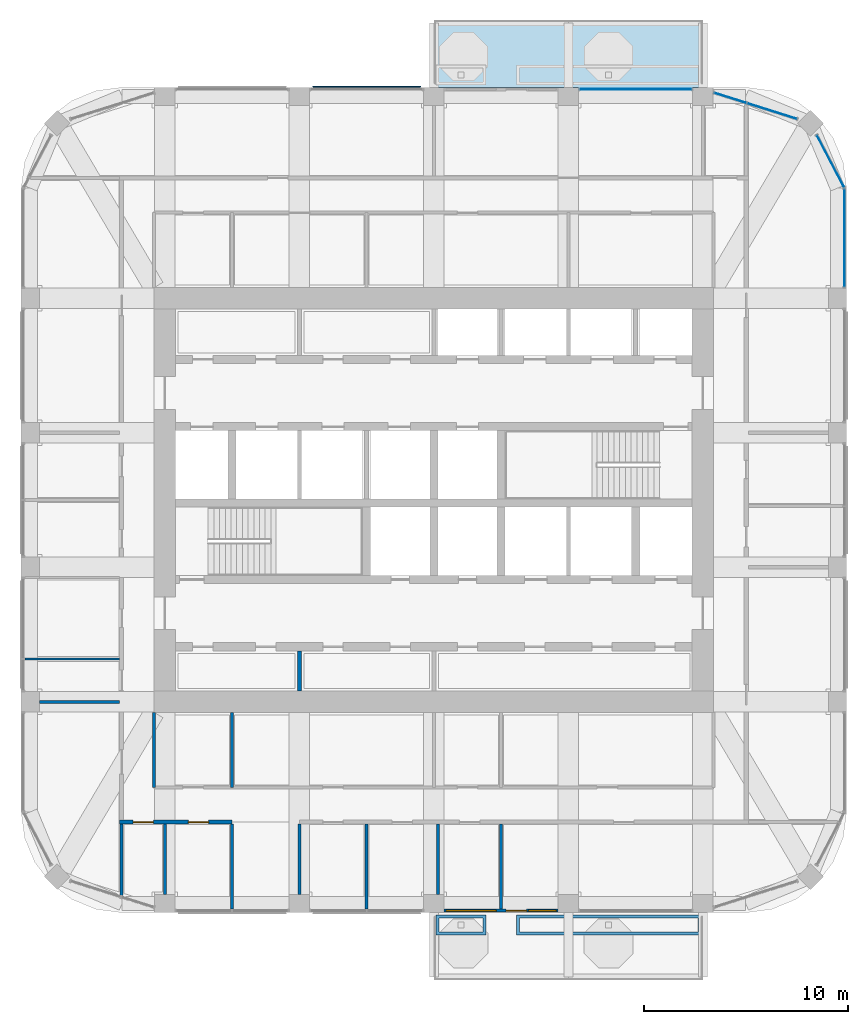
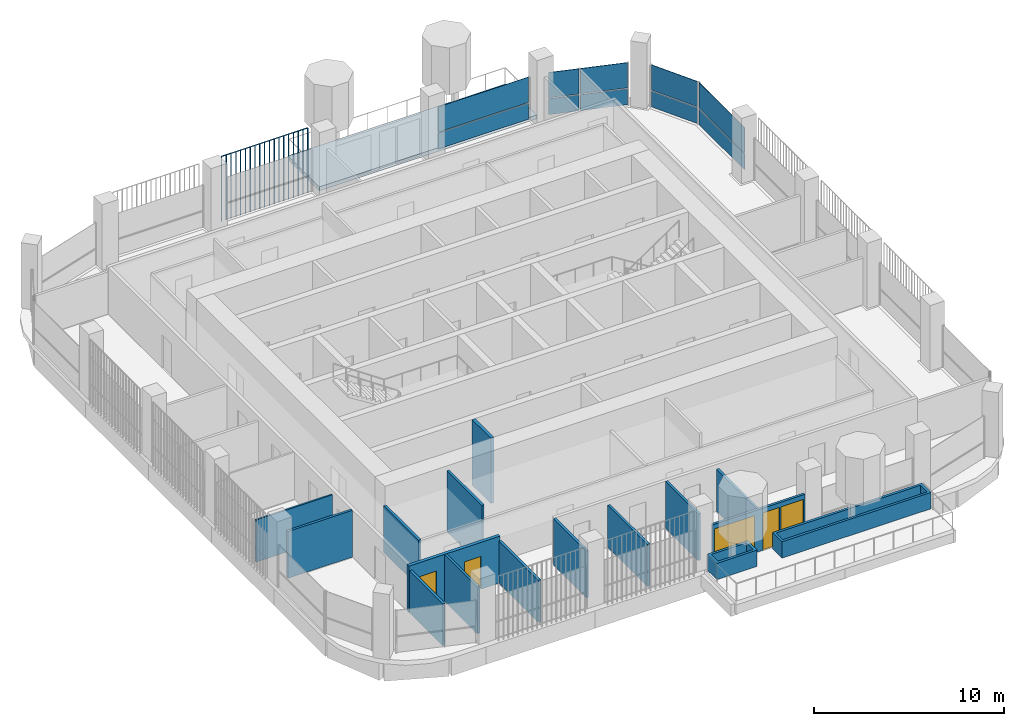
# One storey, part 13 of 21: 16 walls, 11 plates, 3 doors, 2 windows, 1 slab, 5 openings, 4 elements without a shape of their own.
"""IFC4 building model written with IfcOpenShell, lengths in metres."""

from ifc_helpers import new_model, si_unit, direction, frame, frame_2d, origin, origin_2d, place, context, subcontext, project, spatial, polyline, rectangle, outline, extrude, material, layer, layer_set, type_object, element, fill, aggregate, save


model = new_model("IFC4")

# Units and contexts
model_context = context("Model", 3, precision=1e-05, world=origin(), true_north=direction((0.0, 1.0)))
body_context = subcontext(model_context, "Body", "Model", "MODEL_VIEW")
ifc_project = project(units=[si_unit("LENGTHUNIT", "METRE"), si_unit("AREAUNIT", "SQUARE_METRE"), si_unit("VOLUMEUNIT", "CUBIC_METRE"), si_unit("PLANEANGLEUNIT", "RADIAN"), si_unit("MASSUNIT", "GRAM", prefix="KILO")], contexts=[model_context])

# Site, building, storey
site_placement = place(None, origin())
site = spatial("IfcSite", under=ifc_project, at=site_placement, CompositionType="ELEMENT")
building_placement = place(site_placement, origin())
building = spatial("IfcBuilding", under=site, at=building_placement, Name="Cobogo Forest Laboratory Tower", CompositionType="ELEMENT")
storey_placement = place(building_placement, frame((0.0, 0.0, 258.60009765625)))
storey = spatial("IfcBuildingStorey", under=building, at=storey_placement, Name="L59", CompositionType="ELEMENT", Elevation=258.60009765625)

# Slab
ifc_material_1 = material(Name="Concrete HA-40 (C40/50)", Category="concrete")
ifc_layer_1 = layer(ifc_material_1, 0.25)
ifc_layer_set_1 = layer_set([ifc_layer_1], Name="Balcony slab 250")
slab_type = type_object("IfcSlabType", Name="Balcony slab 250", PredefinedType="FLOOR", material=ifc_layer_set_1)
slab_placement = place(storey_placement, frame((0.0, 0.0, -0.25)))
element("IfcSlab", 1, at=slab_placement, inside=storey, type_object=slab_type, Name="Balcony BAL-N1 L59", PredefinedType="FLOOR", context=body_context, shape_type="SweptSolid", body=[
    extrude(outline(polyline([(26.39990234375, 43.35009765625), (39.60009765625, 43.35009765625), (39.60009765625, 46.64990234375), (26.39990234375, 46.64990234375), (26.39990234375, 43.35009765625)])), origin(), (0.0, 0.0, 1.0), 0.25),
])

# Curtain wall, plates
ifc_material_2 = material(Name="Aluminium curtain wall", Category="aluminium")
curtain_wall_type = type_object("IfcCurtainWallType", Name="CW-2 unitised curtain wall, solar control glazing, laboratory floors zones C and D", PredefinedType="USERDEFINED", material=ifc_material_2)
curtain_wall_1_placement = place(storey_placement, origin())
curtain_wall_1 = element("IfcCurtainWall", 2, at=curtain_wall_1_placement, inside=storey, type_object=curtain_wall_type, Name="Curtain wall 11 L59", ObjectType="UNITISED CURTAIN WALL", PredefinedType="USERDEFINED")
ifc_material_3 = material(Name="Solar control insulated glass", Category="glass")
ifc_layer_2 = layer(ifc_material_3, 0.031982421875)
ifc_layer_set_2 = layer_set([ifc_layer_2], Name="GP-2 solar control glass unit 32")
plate_type_1 = type_object("IfcPlateType", Name="GP-2 solar control glass unit 32", PredefinedType="CURTAIN_PANEL", material=ifc_layer_set_2)
plate_1_placement = place(storey_placement, frame((46.550048828125, 35.949951171875, 0.0), z_axis=(0.0, 0.0, 1.0), x_axis=(0.0, 1.0, 0.0)))
plate_1 = element("IfcPlate", 3, at=plate_1_placement, type_object=plate_type_1, Name="CW-2 panel 1.1", PredefinedType="CURTAIN_PANEL", context=body_context, shape_type="SweptSolid", body=[
    extrude(rectangle(XDim=4.780029296875, YDim=0.031982421875, at=origin_2d()), origin(), (0.0, 0.0, 1.0), 1.02001953125),
])
plate_2_placement = place(storey_placement, frame((46.550048828125, 35.949951171875, 1.079833984375), z_axis=(0.0, 0.0, 1.0), x_axis=(0.0, 1.0, 0.0)))
plate_2 = element("IfcPlate", 4, at=plate_2_placement, type_object=plate_type_1, Name="CW-2 panel 1.2", PredefinedType="CURTAIN_PANEL", context=body_context, shape_type="SweptSolid", body=[
    extrude(rectangle(XDim=4.780029296875, YDim=0.031982421875, at=origin_2d()), origin(), (0.0, 0.0, 1.0), 1.6201171875),
])
aggregate(curtain_wall_1, [plate_1, plate_2])

curtain_wall_2_placement = place(storey_placement, origin())
curtain_wall_2 = element("IfcCurtainWall", 5, at=curtain_wall_2_placement, inside=storey, type_object=curtain_wall_type, Name="Curtain wall 12 L59", ObjectType="UNITISED CURTAIN WALL", PredefinedType="USERDEFINED")
plate_3_placement = place(storey_placement, frame((45.85693359375, 39.721923828125, 0.0), z_axis=(0.0, 0.0, 1.0), x_axis=(-0.464283778337, 0.885686498245, 0.0)))
plate_3 = element("IfcPlate", 6, at=plate_3_placement, type_object=plate_type_1, Name="CW-2 panel 1.1", PredefinedType="CURTAIN_PANEL", context=body_context, shape_type="SweptSolid", body=[
    extrude(rectangle(XDim=2.864990234375, YDim=0.031982421875, at=origin_2d()), origin(), (0.0, 0.0, 1.0), 1.02001953125),
])
plate_4_placement = place(storey_placement, frame((45.85693359375, 39.721923828125, 1.079833984375), z_axis=(0.0, 0.0, 1.0), x_axis=(-0.464283778337, 0.885686498245, 0.0)))
plate_4 = element("IfcPlate", 7, at=plate_4_placement, type_object=plate_type_1, Name="CW-2 panel 1.2", PredefinedType="CURTAIN_PANEL", context=body_context, shape_type="SweptSolid", body=[
    extrude(rectangle(XDim=2.864990234375, YDim=0.031982421875, at=origin_2d()), origin(), (0.0, 0.0, 1.0), 1.6201171875),
])
aggregate(curtain_wall_2, [plate_3, plate_4])

curtain_wall_3_placement = place(storey_placement, origin())
curtain_wall_3 = element("IfcCurtainWall", 8, at=curtain_wall_3_placement, inside=storey, type_object=curtain_wall_type, Name="Curtain wall 13 L59", ObjectType="UNITISED CURTAIN WALL", PredefinedType="USERDEFINED")
plate_5_placement = place(storey_placement, frame((42.989501953125, 42.1796875, 0.0), z_axis=(0.0, 0.0, 1.0), x_axis=(-0.953581379409, 0.301135439371, 0.0)))
plate_5 = element("IfcPlate", 9, at=plate_5_placement, type_object=plate_type_1, Name="CW-2 panel 1.1", PredefinedType="CURTAIN_PANEL", context=body_context, shape_type="SweptSolid", body=[
    extrude(rectangle(XDim=2.541748046875, YDim=0.031982421875, at=origin_2d()), origin(), (0.0, 0.0, 1.0), 1.02001953125),
])
plate_6_placement = place(storey_placement, frame((42.989501953125, 42.1796875, 1.079833984375), z_axis=(0.0, 0.0, 1.0), x_axis=(-0.953581379409, 0.301135439371, 0.0)))
plate_6 = element("IfcPlate", 10, at=plate_6_placement, type_object=plate_type_1, Name="CW-2 panel 1.2", PredefinedType="CURTAIN_PANEL", context=body_context, shape_type="SweptSolid", body=[
    extrude(rectangle(XDim=2.541748046875, YDim=0.031982421875, at=origin_2d()), origin(), (0.0, 0.0, 1.0), 1.6201171875),
])
plate_7_placement = place(storey_placement, frame((40.93896484375, 42.8271484375, 0.0), z_axis=(0.0, 0.0, 1.0), x_axis=(-0.953581379409, 0.301135439371, 0.0)))
plate_7 = element("IfcPlate", 11, at=plate_7_placement, type_object=plate_type_1, Name="CW-2 panel 2.1", PredefinedType="CURTAIN_PANEL", context=body_context, shape_type="SweptSolid", body=[
    extrude(rectangle(XDim=1.639404296875, YDim=0.031982421875, at=origin_2d()), origin(), (0.0, 0.0, 1.0), 1.02001953125),
])
plate_8_placement = place(storey_placement, frame((40.93896484375, 42.8271484375, 1.079833984375), z_axis=(0.0, 0.0, 1.0), x_axis=(-0.953581379409, 0.301135439371, 0.0)))
plate_8 = element("IfcPlate", 12, at=plate_8_placement, type_object=plate_type_1, Name="CW-2 panel 2.2", PredefinedType="CURTAIN_PANEL", context=body_context, shape_type="SweptSolid", body=[
    extrude(rectangle(XDim=1.639404296875, YDim=0.031982421875, at=origin_2d()), origin(), (0.0, 0.0, 1.0), 1.6201171875),
])
aggregate(curtain_wall_3, [plate_5, plate_6, plate_7, plate_8])

curtain_wall_4_placement = place(storey_placement, origin())
curtain_wall_4 = element("IfcCurtainWall", 13, at=curtain_wall_4_placement, inside=storey, type_object=curtain_wall_type, Name="Curtain wall 14 L59", ObjectType="UNITISED CURTAIN WALL", PredefinedType="USERDEFINED")
plate_9_placement = place(storey_placement, frame((36.300048828125, 43.25, 0.0), z_axis=(0.0, 0.0, 1.0), x_axis=(-1.0, 0.0, 0.0)))
plate_9 = element("IfcPlate", 14, at=plate_9_placement, type_object=plate_type_1, Name="CW-2 panel 1.1", PredefinedType="CURTAIN_PANEL", context=body_context, shape_type="SweptSolid", body=[
    extrude(rectangle(XDim=5.47998046875, YDim=0.031982421875, at=origin_2d()), origin(), (0.0, 0.0, 1.0), 1.02001953125),
])
plate_10_placement = place(storey_placement, frame((36.300048828125, 43.25, 1.079833984375), z_axis=(0.0, 0.0, 1.0), x_axis=(-1.0, 0.0, 0.0)))
plate_10 = element("IfcPlate", 15, at=plate_10_placement, type_object=plate_type_1, Name="CW-2 panel 1.2", PredefinedType="CURTAIN_PANEL", context=body_context, shape_type="SweptSolid", body=[
    extrude(rectangle(XDim=5.47998046875, YDim=0.031982421875, at=origin_2d()), origin(), (0.0, 0.0, 1.0), 1.6201171875),
])
aggregate(curtain_wall_4, [plate_9, plate_10])

# Plate
ifc_material_4 = material(Name="Terracotta", Category="masonry")
plate_type_2 = type_object("IfcPlateType", Name="TB1 terracotta baguette screen", PredefinedType="USERDEFINED", material=ifc_material_4)
plate_11_placement = place(storey_placement, frame((20.481201171875, 43.3779296875, -0.150146484375)))
element("IfcPlate", 16, at=plate_11_placement, inside=storey, type_object=plate_type_2, Name="Baguette screen N2 L59", ObjectType="BAGUETTE SCREEN", PredefinedType="USERDEFINED", context=body_context, shape_type="SweptSolid", body=[
    extrude(outline(polyline([(0.02880859375, 0.011962890625), (0.011962890625, 0.02880859375), (-0.011962890625, 0.02880859375), (-0.02880859375, 0.011962890625), (-0.02880859375, -0.011962890625), (-0.011962890625, -0.02880859375), (0.011962890625, -0.02880859375), (0.02880859375, -0.011962890625), (0.02880859375, 0.011962890625)])), frame((0.0, 0.0, 4.168701171875), z_axis=(1.0, 0.0, 0.0), x_axis=(0.0, 1.0, 0.0)), (0.0, 0.0, 1.0), 5.237548828125),
    extrude(outline(polyline([(0.02880859375, 0.011962890625), (0.011962890625, 0.02880859375), (-0.011962890625, 0.02880859375), (-0.02880859375, 0.011962890625), (-0.02880859375, -0.011962890625), (-0.011962890625, -0.02880859375), (0.011962890625, -0.02880859375), (0.02880859375, -0.011962890625), (0.02880859375, 0.011962890625)])), origin(), (0.0, 0.0, 1.0), 4.137451171875),
    extrude(outline(polyline([(0.02880859375, 0.011962890625), (0.011962890625, 0.02880859375), (-0.011962890625, 0.02880859375), (-0.02880859375, 0.011962890625), (-0.02880859375, -0.011962890625), (-0.011962890625, -0.02880859375), (0.011962890625, -0.02880859375), (0.02880859375, -0.011962890625), (0.02880859375, 0.011962890625)])), frame((0.291015625, 0.0, 0.0)), (0.0, 0.0, 1.0), 4.137451171875),
    extrude(outline(polyline([(0.02880859375, 0.011962890625), (0.011962890625, 0.02880859375), (-0.011962890625, 0.02880859375), (-0.02880859375, 0.011962890625), (-0.02880859375, -0.011962890625), (-0.011962890625, -0.02880859375), (0.011962890625, -0.02880859375), (0.02880859375, -0.011962890625), (0.02880859375, 0.011962890625)])), frame((0.58203125, 0.0, 0.0)), (0.0, 0.0, 1.0), 4.137451171875),
    extrude(outline(polyline([(0.02880859375, 0.011962890625), (0.011962890625, 0.02880859375), (-0.011962890625, 0.02880859375), (-0.02880859375, 0.011962890625), (-0.02880859375, -0.011962890625), (-0.011962890625, -0.02880859375), (0.011962890625, -0.02880859375), (0.02880859375, -0.011962890625), (0.02880859375, 0.011962890625)])), frame((0.873046875, 0.0, 0.0)), (0.0, 0.0, 1.0), 4.137451171875),
    extrude(outline(polyline([(0.02880859375, 0.011962890625), (0.011962890625, 0.02880859375), (-0.011962890625, 0.02880859375), (-0.02880859375, 0.011962890625), (-0.02880859375, -0.011962890625), (-0.011962890625, -0.02880859375), (0.011962890625, -0.02880859375), (0.02880859375, -0.011962890625), (0.02880859375, 0.011962890625)])), frame((1.163818359375, 0.0, 0.0)), (0.0, 0.0, 1.0), 4.137451171875),
    extrude(outline(polyline([(0.02880859375, 0.011962890625), (0.011962890625, 0.02880859375), (-0.011962890625, 0.02880859375), (-0.02880859375, 0.011962890625), (-0.02880859375, -0.011962890625), (-0.011962890625, -0.02880859375), (0.011962890625, -0.02880859375), (0.02880859375, -0.011962890625), (0.02880859375, 0.011962890625)])), frame((1.454833984375, 0.0, 0.0)), (0.0, 0.0, 1.0), 4.137451171875),
    extrude(outline(polyline([(0.02880859375, 0.011962890625), (0.011962890625, 0.02880859375), (-0.011962890625, 0.02880859375), (-0.02880859375, 0.011962890625), (-0.02880859375, -0.011962890625), (-0.011962890625, -0.02880859375), (0.011962890625, -0.02880859375), (0.02880859375, -0.011962890625), (0.02880859375, 0.011962890625)])), frame((1.745849609375, 0.0, 0.0)), (0.0, 0.0, 1.0), 4.137451171875),
    extrude(outline(polyline([(0.02880859375, 0.011962890625), (0.011962890625, 0.02880859375), (-0.011962890625, 0.02880859375), (-0.02880859375, 0.011962890625), (-0.02880859375, -0.011962890625), (-0.011962890625, -0.02880859375), (0.011962890625, -0.02880859375), (0.02880859375, -0.011962890625), (0.02880859375, 0.011962890625)])), frame((2.036865234375, 0.0, 0.0)), (0.0, 0.0, 1.0), 4.137451171875),
    extrude(outline(polyline([(0.02880859375, 0.011962890625), (0.011962890625, 0.02880859375), (-0.011962890625, 0.02880859375), (-0.02880859375, 0.011962890625), (-0.02880859375, -0.011962890625), (-0.011962890625, -0.02880859375), (0.011962890625, -0.02880859375), (0.02880859375, -0.011962890625), (0.02880859375, 0.011962890625)])), frame((2.327880859375, 0.0, 0.0)), (0.0, 0.0, 1.0), 4.137451171875),
    extrude(outline(polyline([(0.02880859375, 0.011962890625), (0.011962890625, 0.02880859375), (-0.011962890625, 0.02880859375), (-0.02880859375, 0.011962890625), (-0.02880859375, -0.011962890625), (-0.011962890625, -0.02880859375), (0.011962890625, -0.02880859375), (0.02880859375, -0.011962890625), (0.02880859375, 0.011962890625)])), frame((2.61865234375, 0.0, 0.0)), (0.0, 0.0, 1.0), 4.137451171875),
    extrude(outline(polyline([(0.02880859375, 0.011962890625), (0.011962890625, 0.02880859375), (-0.011962890625, 0.02880859375), (-0.02880859375, 0.011962890625), (-0.02880859375, -0.011962890625), (-0.011962890625, -0.02880859375), (0.011962890625, -0.02880859375), (0.02880859375, -0.011962890625), (0.02880859375, 0.011962890625)])), frame((2.90966796875, 0.0, 0.0)), (0.0, 0.0, 1.0), 4.137451171875),
    extrude(outline(polyline([(0.02880859375, 0.011962890625), (0.011962890625, 0.02880859375), (-0.011962890625, 0.02880859375), (-0.02880859375, 0.011962890625), (-0.02880859375, -0.011962890625), (-0.011962890625, -0.02880859375), (0.011962890625, -0.02880859375), (0.02880859375, -0.011962890625), (0.02880859375, 0.011962890625)])), frame((3.20068359375, 0.0, 0.0)), (0.0, 0.0, 1.0), 4.137451171875),
    extrude(outline(polyline([(0.02880859375, 0.011962890625), (0.011962890625, 0.02880859375), (-0.011962890625, 0.02880859375), (-0.02880859375, 0.011962890625), (-0.02880859375, -0.011962890625), (-0.011962890625, -0.02880859375), (0.011962890625, -0.02880859375), (0.02880859375, -0.011962890625), (0.02880859375, 0.011962890625)])), frame((3.49169921875, 0.0, 0.0)), (0.0, 0.0, 1.0), 4.137451171875),
    extrude(outline(polyline([(0.02880859375, 0.011962890625), (0.011962890625, 0.02880859375), (-0.011962890625, 0.02880859375), (-0.02880859375, 0.011962890625), (-0.02880859375, -0.011962890625), (-0.011962890625, -0.02880859375), (0.011962890625, -0.02880859375), (0.02880859375, -0.011962890625), (0.02880859375, 0.011962890625)])), frame((3.78271484375, 0.0, 0.0)), (0.0, 0.0, 1.0), 4.137451171875),
    extrude(outline(polyline([(0.02880859375, 0.011962890625), (0.011962890625, 0.02880859375), (-0.011962890625, 0.02880859375), (-0.02880859375, 0.011962890625), (-0.02880859375, -0.011962890625), (-0.011962890625, -0.02880859375), (0.011962890625, -0.02880859375), (0.02880859375, -0.011962890625), (0.02880859375, 0.011962890625)])), frame((4.07373046875, 0.0, 0.0)), (0.0, 0.0, 1.0), 4.137451171875),
    extrude(outline(polyline([(0.02880859375, 0.011962890625), (0.011962890625, 0.02880859375), (-0.011962890625, 0.02880859375), (-0.02880859375, 0.011962890625), (-0.02880859375, -0.011962890625), (-0.011962890625, -0.02880859375), (0.011962890625, -0.02880859375), (0.02880859375, -0.011962890625), (0.02880859375, 0.011962890625)])), frame((4.36474609375, 0.0, 0.0)), (0.0, 0.0, 1.0), 4.137451171875),
    extrude(outline(polyline([(0.02880859375, 0.011962890625), (0.011962890625, 0.02880859375), (-0.011962890625, 0.02880859375), (-0.02880859375, 0.011962890625), (-0.02880859375, -0.011962890625), (-0.011962890625, -0.02880859375), (0.011962890625, -0.02880859375), (0.02880859375, -0.011962890625), (0.02880859375, 0.011962890625)])), frame((4.655517578125, 0.0, 0.0)), (0.0, 0.0, 1.0), 4.137451171875),
    extrude(outline(polyline([(0.02880859375, 0.011962890625), (0.011962890625, 0.02880859375), (-0.011962890625, 0.02880859375), (-0.02880859375, 0.011962890625), (-0.02880859375, -0.011962890625), (-0.011962890625, -0.02880859375), (0.011962890625, -0.02880859375), (0.02880859375, -0.011962890625), (0.02880859375, 0.011962890625)])), frame((4.946533203125, 0.0, 0.0)), (0.0, 0.0, 1.0), 4.137451171875),
    extrude(outline(polyline([(0.02880859375, 0.011962890625), (0.011962890625, 0.02880859375), (-0.011962890625, 0.02880859375), (-0.02880859375, 0.011962890625), (-0.02880859375, -0.011962890625), (-0.011962890625, -0.02880859375), (0.011962890625, -0.02880859375), (0.02880859375, -0.011962890625), (0.02880859375, 0.011962890625)])), frame((5.237548828125, 0.0, 0.0)), (0.0, 0.0, 1.0), 4.137451171875),
])

# Wall, openings, door, windows
ifc_material_5 = material(Name="Aluminium framed glazed screen", Category="aluminium")
ifc_layer_3 = layer(ifc_material_5, 0.14990234375)
ifc_layer_set_3 = layer_set([ifc_layer_3], Name="GS1 glazed door screen 150")
wall_type_1 = type_object("IfcWallType", Name="GS1 glazed door screen 150", PredefinedType="SOLIDWALL", material=ifc_layer_set_3)
wall_1_placement = place(storey_placement, frame((26.89990234375, 2.949951171875, 0.0), z_axis=(0.0, 0.0, 1.0), x_axis=(1.0, 0.0, 0.0)))
wall_1 = element("IfcWall", 17, at=wall_1_placement, inside=storey, type_object=wall_type_1, Name="Door screen BAL-S1 L59", PredefinedType="SOLIDWALL", context=body_context, shape_type="SweptSolid", body=[
    extrude(rectangle(XDim=5.60009765625, YDim=0.14990234375, at=frame_2d((2.800048828125, 0.0))), origin(), (0.0, 0.0, 1.0), 2.699951171875),
])
opening_1_placement = place(wall_1_placement, frame((3.050048828125, 0.0, 0.0)))
opening_1 = element("IfcOpeningElement", 18, at=opening_1_placement, cuts=wall_1, Name="Opening L59-D01", PredefinedType="OPENING", context=body_context, shape_type="SweptSolid", body=[
    extrude(rectangle(XDim=1.0, YDim=2.39990234375, at=frame_2d((0.5, 1.199951171875))), frame((0.0, 0.0849609375, 0.0), z_axis=(0.0, -1.0, 0.0), x_axis=(1.0, 0.0, 0.0)), (0.0, 0.0, 1.0), 0.169921875),
])
opening_2_placement = place(wall_1_placement, frame((0.10009765625, 0.0, 0.10009765625)))
opening_2 = element("IfcOpeningElement", 19, at=opening_2_placement, cuts=wall_1, Name="Opening L59-W01", PredefinedType="OPENING", context=body_context, shape_type="SweptSolid", body=[
    extrude(rectangle(XDim=2.449951171875, YDim=2.300048828125, at=frame_2d((1.22509765625, 1.14990234375))), frame((0.0, 0.0849609375, 0.0), z_axis=(0.0, -1.0, 0.0), x_axis=(1.0, 0.0, 0.0)), (0.0, 0.0, 1.0), 0.169921875),
])
opening_3_placement = place(wall_1_placement, frame((4.14990234375, 0.0, 0.10009765625)))
opening_3 = element("IfcOpeningElement", 20, at=opening_3_placement, cuts=wall_1, Name="Opening L59-W02", PredefinedType="OPENING", context=body_context, shape_type="SweptSolid", body=[
    extrude(rectangle(XDim=1.35009765625, YDim=2.300048828125, at=frame_2d((0.675048828125, 1.14990234375))), frame((0.0, 0.0849609375, 0.0), z_axis=(0.0, -1.0, 0.0), x_axis=(1.0, 0.0, 0.0)), (0.0, 0.0, 1.0), 0.169921875),
])
ifc_material_6 = material(Name="Aluminium glazed door", Category="aluminium")
door_type_1 = type_object("IfcDoorType", Name="DB1 balcony door 1000 glazed", OperationType="SINGLE_SWING_LEFT", PredefinedType="DOOR", material=ifc_material_6)
door_1_placement = place(opening_1_placement, origin())
door_1 = element("IfcDoor", 21, at=door_1_placement, inside=storey, type_object=door_type_1, Name="Door L59-BAL-S1", OperationType="SINGLE_SWING_RIGHT", OverallHeight=2.39990234375, OverallWidth=1.0, PredefinedType="DOOR", context=body_context, shape_type="SweptSolid", body=[
    extrude(rectangle(XDim=1.0, YDim=2.39990234375, at=frame_2d((0.5, 1.199951171875))), frame((0.0, 0.02490234375, 0.0), z_axis=(0.0, -1.0, 0.0), x_axis=(1.0, 0.0, 0.0)), (0.0, 0.0, 1.0), 0.050048828125),
])
fill(opening_1, door_1)
ifc_material_7 = material(Name="Aluminium framed glazing", Category="aluminium")
window_type_1 = type_object("IfcWindowType", Name="WG23 fixed glazed light 2450x2300", PartitioningType="SINGLE_PANEL", PredefinedType="WINDOW", material=ifc_material_7)
window_1_placement = place(opening_2_placement, origin())
window_1 = element("IfcWindow", 22, at=window_1_placement, inside=storey, type_object=window_type_1, Name="Window L59-BAL-S1-1", OverallHeight=2.300048828125, OverallWidth=2.449951171875, PartitioningType="SINGLE_PANEL", PredefinedType="WINDOW", context=body_context, shape_type="SweptSolid", body=[
    extrude(rectangle(XDim=2.449951171875, YDim=2.300048828125, at=frame_2d((1.22509765625, 1.14990234375))), frame((0.0, 0.030029296875, 0.0), z_axis=(0.0, -1.0, 0.0), x_axis=(1.0, 0.0, 0.0)), (0.0, 0.0, 1.0), 0.06005859375),
])
fill(opening_2, window_1)
window_type_2 = type_object("IfcWindowType", Name="WG24 fixed glazed light 1350x2300", PartitioningType="SINGLE_PANEL", PredefinedType="WINDOW", material=ifc_material_7)
window_2_placement = place(opening_3_placement, origin())
window_2 = element("IfcWindow", 23, at=window_2_placement, inside=storey, type_object=window_type_2, Name="Window L59-BAL-S1-2", OverallHeight=2.300048828125, OverallWidth=1.35009765625, PartitioningType="SINGLE_PANEL", PredefinedType="WINDOW", context=body_context, shape_type="SweptSolid", body=[
    extrude(rectangle(XDim=1.35009765625, YDim=2.300048828125, at=frame_2d((0.675048828125, 1.14990234375))), frame((0.0, 0.030029296875, 0.0), z_axis=(0.0, -1.0, 0.0), x_axis=(1.0, 0.0, 0.0)), (0.0, 0.0, 1.0), 0.06005859375),
])
fill(opening_3, window_2)

# Walls
ifc_material_8 = material(Name="Gypsum board on steel studs", Category="steel")
ifc_layer_4 = layer(ifc_material_8, 0.14990234375)
ifc_layer_set_4 = layer_set([ifc_layer_4], Name="PT1 laboratory partition 150")
wall_type_2 = type_object("IfcWallType", Name="PT1 laboratory partition 150", PredefinedType="PARTITIONING", material=ifc_layer_set_4)
wall_2_placement = place(storey_placement, frame((12.675048828125, 12.675048828125, 0.0), z_axis=(0.0, 0.0, 1.0), x_axis=(0.0, -1.0, 0.0)))
element("IfcWall", 24, at=wall_2_placement, inside=storey, type_object=wall_type_2, Name="Partition CSTRIP-SW L59", PredefinedType="PARTITIONING", context=body_context, shape_type="SweptSolid", body=[
    extrude(rectangle(XDim=3.675048828125, YDim=0.14990234375, at=frame_2d((1.83740234375, 0.0))), origin(), (0.0, 0.0, 1.0), 3.0),
])
wall_3_placement = place(storey_placement, frame((16.5, 12.675048828125, 0.0), z_axis=(0.0, 0.0, 1.0), x_axis=(0.0, -1.0, 0.0)))
element("IfcWall", 25, at=wall_3_placement, inside=storey, type_object=wall_type_2, Name="Partition CSTRIP-S16.5 L59", PredefinedType="PARTITIONING", context=body_context, shape_type="SweptSolid", body=[
    extrude(rectangle(XDim=3.675048828125, YDim=0.14990234375, at=frame_2d((1.83740234375, 0.0))), origin(), (0.0, 0.0, 1.0), 3.89990234375),
])
wall_4_placement = place(storey_placement, frame((11.074951171875, 3.705078125, 0.0), z_axis=(0.0, 0.0, 1.0), x_axis=(0.0, 1.0, 0.0)))
element("IfcWall", 26, at=wall_4_placement, inside=storey, type_object=wall_type_2, Name="Partition PW-SW L59", PredefinedType="PARTITIONING", context=body_context, shape_type="SweptSolid", body=[
    extrude(rectangle(XDim=3.494873046875, YDim=0.14990234375, at=frame_2d((1.74755859375, 0.0))), origin(), (0.0, 0.0, 1.0), 2.699951171875),
])
wall_5_placement = place(storey_placement, frame((26.60009765625, 3.75, 0.0), z_axis=(0.0, 0.0, 1.0), x_axis=(0.0, 1.0, 0.0)))
element("IfcWall", 27, at=wall_5_placement, inside=storey, type_object=wall_type_2, Name="Partition SVC-S1-1 L59", PredefinedType="PARTITIONING", context=body_context, shape_type="SweptSolid", body=[
    extrude(rectangle(XDim=3.449951171875, YDim=0.14990234375, at=frame_2d((1.72509765625, 0.0))), origin(), (0.0, 0.0, 1.0), 3.0),
])
wall_6_placement = place(storey_placement, frame((29.699951171875, 3.030029296875, 0.0), z_axis=(0.0, 0.0, 1.0), x_axis=(0.0, 1.0, 0.0)))
element("IfcWall", 28, at=wall_6_placement, inside=storey, type_object=wall_type_2, Name="Partition SVC-S2-1 L59", PredefinedType="PARTITIONING", context=body_context, shape_type="SweptSolid", body=[
    extrude(rectangle(XDim=4.169921875, YDim=0.14990234375, at=frame_2d((2.0849609375, 0.0))), origin(), (0.0, 0.0, 1.0), 2.699951171875),
])
wall_7_placement = place(storey_placement, frame((13.199951171875, 3.75, 0.0), z_axis=(0.0, 0.0, 1.0), x_axis=(0.0, 1.0, 0.0)))
element("IfcWall", 29, at=wall_7_placement, inside=storey, type_object=wall_type_2, Name="Partition CUT-S13.2-1 L59", PredefinedType="PARTITIONING", context=body_context, shape_type="SweptSolid", body=[
    extrude(rectangle(XDim=3.449951171875, YDim=0.14990234375, at=frame_2d((1.72509765625, 0.0))), origin(), (0.0, 0.0, 1.0), 3.0),
])
wall_8_placement = place(storey_placement, frame((16.5, 3.030029296875, 0.0), z_axis=(0.0, 0.0, 1.0), x_axis=(0.0, 1.0, 0.0)))
element("IfcWall", 30, at=wall_8_placement, inside=storey, type_object=wall_type_2, Name="Partition CUT-S16.5-1 L59", PredefinedType="PARTITIONING", context=body_context, shape_type="SweptSolid", body=[
    extrude(rectangle(XDim=4.169921875, YDim=0.14990234375, at=frame_2d((2.0849609375, 0.0))), origin(), (0.0, 0.0, 1.0), 2.699951171875),
])
wall_9_placement = place(storey_placement, frame((19.800048828125, 3.75, 0.0), z_axis=(0.0, 0.0, 1.0), x_axis=(0.0, 1.0, 0.0)))
element("IfcWall", 31, at=wall_9_placement, inside=storey, type_object=wall_type_2, Name="Partition CUT-S19.8-1 L59", PredefinedType="PARTITIONING", context=body_context, shape_type="SweptSolid", body=[
    extrude(rectangle(XDim=3.449951171875, YDim=0.14990234375, at=frame_2d((1.72509765625, 0.0))), origin(), (0.0, 0.0, 1.0), 3.0),
])
wall_10_placement = place(storey_placement, frame((23.10009765625, 3.030029296875, 0.0), z_axis=(0.0, 0.0, 1.0), x_axis=(0.0, 1.0, 0.0)))
element("IfcWall", 32, at=wall_10_placement, inside=storey, type_object=wall_type_2, Name="Partition CUT-S23.1-1 L59", PredefinedType="PARTITIONING", context=body_context, shape_type="SweptSolid", body=[
    extrude(rectangle(XDim=4.169921875, YDim=0.14990234375, at=frame_2d((2.0849609375, 0.0))), origin(), (0.0, 0.0, 1.0), 2.699951171875),
])
wall_11_placement = place(storey_placement, frame((7.050048828125, 13.199951171875, 0.0), z_axis=(0.0, 0.0, 1.0), x_axis=(1.0, 0.0, 0.0)))
element("IfcWall", 33, at=wall_11_placement, inside=storey, type_object=wall_type_2, Name="Partition CUT-W13.2-1 L59", PredefinedType="PARTITIONING", context=body_context, shape_type="SweptSolid", body=[
    extrude(rectangle(XDim=3.925048828125, YDim=0.14990234375, at=frame_2d((1.96240234375, 0.0))), origin(), (0.0, 0.0, 1.0), 3.0),
])

# Wall, openings, doors
ifc_layer_5 = layer(ifc_material_8, 0.199951171875)
ifc_layer_set_5 = layer_set([ifc_layer_5], Name="PT2 fire-rated corridor partition 200")
wall_type_3 = type_object("IfcWallType", Name="PT2 fire-rated corridor partition 200", PredefinedType="PARTITIONING", material=ifc_layer_set_5)
wall_12_placement = place(storey_placement, frame((10.97509765625, 7.300048828125, 0.0), z_axis=(0.0, 0.0, 1.0), x_axis=(1.0, 0.0, 0.0)))
wall_12 = element("IfcWall", 34, at=wall_12_placement, inside=storey, type_object=wall_type_3, Name="Partition CORR-S-1 L59", PredefinedType="PARTITIONING", context=body_context, shape_type="SweptSolid", body=[
    extrude(rectangle(XDim=5.52490234375, YDim=0.199951171875, at=frame_2d((2.762451171875, 0.0))), origin(), (0.0, 0.0, 1.0), 3.0),
])
opening_4_placement = place(wall_12_placement, frame((0.66259765625, 0.0, 0.0)))
opening_4 = element("IfcOpeningElement", 35, at=opening_4_placement, cuts=wall_12, Name="Opening L59-D02", PredefinedType="OPENING", context=body_context, shape_type="SweptSolid", body=[
    extrude(rectangle(XDim=1.0, YDim=2.10009765625, at=frame_2d((0.5, 1.050048828125))), frame((0.0, 0.10986328125, 0.0), z_axis=(0.0, -1.0, 0.0), x_axis=(1.0, 0.0, 0.0)), (0.0, 0.0, 1.0), 0.219970703125),
])
opening_5_placement = place(wall_12_placement, frame((3.375, 0.0, 0.0)))
opening_5 = element("IfcOpeningElement", 36, at=opening_5_placement, cuts=wall_12, Name="Opening L59-D03", PredefinedType="OPENING", context=body_context, shape_type="SweptSolid", body=[
    extrude(rectangle(XDim=1.0, YDim=2.10009765625, at=frame_2d((0.5, 1.050048828125))), frame((0.0, 0.10986328125, 0.0), z_axis=(0.0, -1.0, 0.0), x_axis=(1.0, 0.0, 0.0)), (0.0, 0.0, 1.0), 0.219970703125),
])
ifc_material_9 = material(Name="Timber fire door", Category="wood")
door_type_2 = type_object("IfcDoorType", Name="FD2 fire door 1000 EI2 30", OperationType="SINGLE_SWING_LEFT", PredefinedType="DOOR", material=ifc_material_9)
door_2_placement = place(opening_4_placement, origin())
door_2 = element("IfcDoor", 37, at=door_2_placement, inside=storey, type_object=door_type_2, Name="Door L59-S1", OperationType="SINGLE_SWING_LEFT", OverallHeight=2.10009765625, OverallWidth=1.0, PredefinedType="DOOR", context=body_context, shape_type="SweptSolid", body=[
    extrude(rectangle(XDim=1.0, YDim=2.10009765625, at=frame_2d((0.5, 1.050048828125))), frame((0.0, 0.02490234375, 0.0), z_axis=(0.0, -1.0, 0.0), x_axis=(1.0, 0.0, 0.0)), (0.0, 0.0, 1.0), 0.050048828125),
])
fill(opening_4, door_2)
door_3_placement = place(opening_5_placement, origin())
door_3 = element("IfcDoor", 38, at=door_3_placement, inside=storey, type_object=door_type_2, Name="Door L59-S2", OperationType="SINGLE_SWING_RIGHT", OverallHeight=2.10009765625, OverallWidth=1.0, PredefinedType="DOOR", context=body_context, shape_type="SweptSolid", body=[
    extrude(rectangle(XDim=1.0, YDim=2.10009765625, at=frame_2d((0.5, 1.050048828125))), frame((0.0, 0.02490234375, 0.0), z_axis=(0.0, -1.0, 0.0), x_axis=(1.0, 0.0, 0.0)), (0.0, 0.0, 1.0), 0.050048828125),
])
fill(opening_5, door_3)

# Walls
ifc_layer_6 = layer(ifc_material_8, 0.10009765625)
ifc_layer_set_6 = layer_set([ifc_layer_6], Name="PT3 toilet partition 100")
wall_type_4 = type_object("IfcWallType", Name="PT3 toilet partition 100", PredefinedType="PARTITIONING", material=ifc_layer_set_6)
wall_13_placement = place(storey_placement, frame((6.330078125, 15.300048828125, 0.0), z_axis=(0.0, 0.0, 1.0), x_axis=(1.0, 0.0, 0.0)))
element("IfcWall", 39, at=wall_13_placement, inside=storey, type_object=wall_type_4, Name="Partition SVC-W1-1 L59", PredefinedType="PARTITIONING", context=body_context, shape_type="SweptSolid", body=[
    extrude(rectangle(XDim=4.64501953125, YDim=0.10009765625, at=frame_2d((2.322509765625, 0.0))), origin(), (0.0, 0.0, 1.0), 2.699951171875),
])
ifc_layer_7 = layer(ifc_material_1, 0.14990234375)
ifc_layer_set_7 = layer_set([ifc_layer_7], Name="Planter box 1000x1050")
wall_type_5 = type_object("IfcWallType", Name="Planter box 1000x1050", PredefinedType="USERDEFINED", material=ifc_layer_set_7)
wall_14_placement = place(storey_placement, origin())
element("IfcWall", 40, at=wall_14_placement, inside=storey, type_object=wall_type_5, Name="Planter BAL-S1-1 L59", ObjectType="PLANTER", PredefinedType="USERDEFINED", context=body_context, shape_type="SweptSolid", body=[
    extrude(outline(polyline([(26.5, 1.75), (28.949951171875, 1.75), (28.949951171875, 2.75), (26.5, 2.75), (26.5, 1.75)]), holes=[polyline([(26.64990234375, 1.89990234375), (28.800048828125, 1.89990234375), (28.800048828125, 2.60009765625), (26.64990234375, 2.60009765625), (26.64990234375, 1.89990234375)])]), origin(), (0.0, 0.0, 1.0), 1.0498046875),
])
wall_15_placement = place(storey_placement, origin())
element("IfcWall", 41, at=wall_15_placement, inside=storey, type_object=wall_type_5, Name="Planter BAL-S1-2 L59", ObjectType="PLANTER", PredefinedType="USERDEFINED", context=body_context, shape_type="SweptSolid", body=[
    extrude(outline(polyline([(30.449951171875, 1.75), (39.5, 1.75), (39.5, 2.75), (30.449951171875, 2.75), (30.449951171875, 1.75)]), holes=[polyline([(30.60009765625, 1.89990234375), (39.35009765625, 1.89990234375), (39.35009765625, 2.60009765625), (30.60009765625, 2.60009765625), (30.60009765625, 1.89990234375)])]), origin(), (0.0, 0.0, 1.0), 1.0498046875),
])
ifc_material_10 = material(Name="Concrete block", Category="concrete")
ifc_layer_8 = layer(ifc_material_10, 0.199951171875)
ifc_layer_set_8 = layer_set([ifc_layer_8], Name="SW200 lift shaft separator 200")
wall_type_6 = type_object("IfcWallType", Name="SW200 lift shaft separator 200", PredefinedType="PARTITIONING", material=ifc_layer_set_8)
wall_16_placement = place(storey_placement, frame((19.800048828125, 13.72509765625, 0.0), z_axis=(0.0, 0.0, 1.0), x_axis=(0.0, 1.0, 0.0)))
element("IfcWall", 42, at=wall_16_placement, inside=storey, type_object=wall_type_6, Name="Core wall SEP-S2 L59", PredefinedType="PARTITIONING", context=body_context, shape_type="SweptSolid", body=[
    extrude(rectangle(XDim=1.974853515625, YDim=0.199951171875, at=frame_2d((0.9873046875, 0.0))), origin(), (0.0, 0.0, 1.0), 4.199951171875),
])

save(model, "model.ifc")
